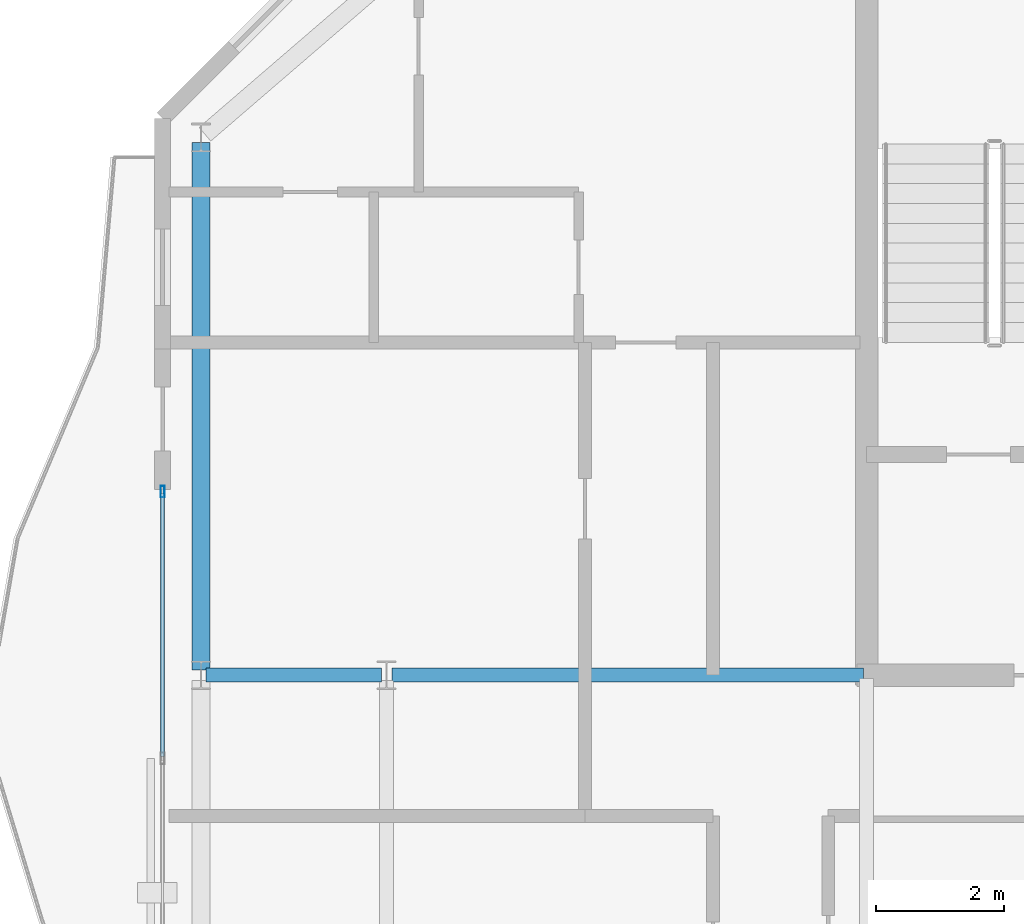
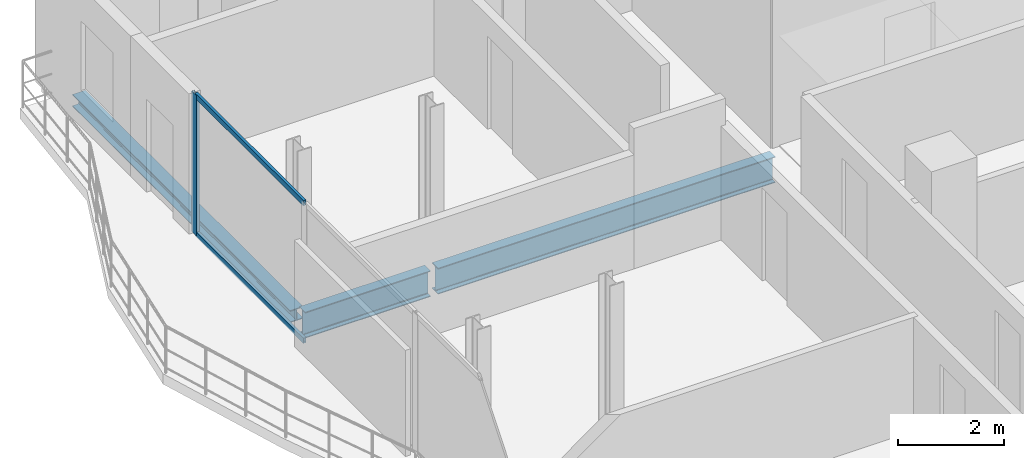
# One storey, part 9 of 23: 3 beams, 3 members, 1 element without a shape of its own.
"""IFC4 building model written with IfcOpenShell, lengths in metres."""

from ifc_helpers import new_model, si_unit, direction, frame, origin, origin_2d, place, context, subcontext, project, spatial, hollow_rectangle, i_section, extrude, material, layer, layer_set, material_profile, profile_set, type_object, element, aggregate, save


model = new_model("IFC4")

# Units and contexts
model_context = context("Model", 3, precision=1e-05, world=origin(), true_north=direction((0.0, 1.0)))
body_context = subcontext(model_context, "Body", "Model", "MODEL_VIEW")
ifc_project = project(units=[si_unit("LENGTHUNIT", "METRE"), si_unit("AREAUNIT", "SQUARE_METRE"), si_unit("VOLUMEUNIT", "CUBIC_METRE"), si_unit("PLANEANGLEUNIT", "RADIAN"), si_unit("MASSUNIT", "GRAM", prefix="KILO")], contexts=[model_context])

# Site, building, storey
site_placement = place(None, origin())
site = spatial("IfcSite", under=ifc_project, at=site_placement, CompositionType="ELEMENT")
building_placement = place(site_placement, origin())
building = spatial("IfcBuilding", under=site, at=building_placement, Name="Catumbela Crestline Tower", CompositionType="ELEMENT")
storey_placement = place(building_placement, frame((0.0, 0.0, 204.6)))
storey = spatial("IfcBuildingStorey", under=building, at=storey_placement, Name="L53", CompositionType="ELEMENT", Elevation=204.6)

# Beams
ifc_material_1 = material(Name="Structural steel S355J2", Category="steel")
ifc_material_profile_1 = material_profile(ifc_material_1, i_section(OverallWidth=0.22, OverallDepth=0.6, WebThickness=0.012, FlangeThickness=0.019, FilletRadius=0.024, at=origin_2d()), Name="IPE 600")
ifc_profile_set_1 = profile_set([ifc_material_profile_1], Name="Structural steel S355J2")
beam_type_1 = type_object("IfcBeamType", Name="BG-IPE600", PredefinedType="BEAM", material=ifc_profile_set_1)
beam_1_placement = place(storey_placement, frame((5.68, 30.8, -0.56), z_axis=(1.0, 0.0, 0.0), x_axis=(0.0, 1.0, 0.0)))
element("IfcBeam", 1, at=beam_1_placement, inside=storey, type_object=beam_type_1, Name="L53 Beam BM-L53-M06", PredefinedType="BEAM", context=body_context, shape_type="SweptSolid", body=[
    extrude(i_section(OverallWidth=0.22, OverallDepth=0.6, WebThickness=0.012, FlangeThickness=0.019, FilletRadius=0.024, at=origin_2d()), origin(), (0.0, 0.0, 1.0), 2.74),
])
beam_2_placement = place(storey_placement, frame((8.58, 30.8, -0.56), z_axis=(1.0, 0.0, 0.0), x_axis=(0.0, 1.0, 0.0)))
element("IfcBeam", 2, at=beam_2_placement, inside=storey, type_object=beam_type_1, Name="L53 Beam BM-L53-M07", PredefinedType="BEAM", context=body_context, shape_type="SweptSolid", body=[
    extrude(i_section(OverallWidth=0.22, OverallDepth=0.6, WebThickness=0.012, FlangeThickness=0.019, FilletRadius=0.024, at=origin_2d()), origin(), (0.0, 0.0, 1.0), 7.37),
])

# Curtain wall, member
ifc_material_2 = material(Name="Aluminium alloy AW-6060-T66", Category="aluminium")
ifc_layer = layer(ifc_material_2, 0.18, Name="Aluminium alloy AW-6060-T66")
ifc_layer_set = layer_set([ifc_layer], Name="Aluminium alloy AW-6060-T66")
curtain_wall_type = type_object("IfcCurtainWallType", Name="CWU-Z3", PredefinedType="USERDEFINED", material=ifc_layer_set)
curtain_wall_placement = place(storey_placement, origin())
curtain_wall = element("IfcCurtainWall", 3, at=curtain_wall_placement, inside=storey, type_object=curtain_wall_type, Name="L53 Unitised Curtain Wall CW-L53-E9S2", ObjectType="UNITISED", PredefinedType="USERDEFINED")
ifc_material_profile_2 = material_profile(ifc_material_2, hollow_rectangle(XDim=0.065, YDim=0.18, WallThickness=0.004, at=origin_2d()), Name="ALU 180x65x4")
ifc_profile_set_2 = profile_set([ifc_material_profile_2], Name="Aluminium alloy AW-6060-T66")
member_type_1 = type_object("IfcMemberType", Name="MUL-180X65", PredefinedType="MULLION", material=ifc_profile_set_2)
member_1_placement = place(storey_placement, frame((5.0, 33.6675, 0.0), z_axis=(0.0, 0.0, 1.0), x_axis=(1.0, 0.0, 0.0)))
member_1 = element("IfcMember", 4, at=member_1_placement, type_object=member_type_1, Name="CWU-Z3 mullion 1", PredefinedType="MULLION", context=body_context, shape_type="SweptSolid", body=[
    extrude(hollow_rectangle(XDim=0.065, YDim=0.18, WallThickness=0.004, at=origin_2d()), origin(), (0.0, 0.0, 1.0), 3.24),
])

# Beam
ifc_material_profile_3 = material_profile(ifc_material_1, i_section(OverallWidth=0.28, OverallDepth=0.28, WebThickness=0.0105, FlangeThickness=0.018, FilletRadius=0.024, at=origin_2d()), Name="HEB 280")
ifc_profile_set_3 = profile_set([ifc_material_profile_3], Name="Structural steel S355J2")
beam_type_2 = type_object("IfcBeamType", Name="BS-HEB280", PredefinedType="SPANDREL", material=ifc_profile_set_3)
beam_3_placement = place(storey_placement, frame((5.6, 30.88, -0.4), z_axis=(0.0, 1.0, 0.0), x_axis=(-1.0, 0.0, 0.0)))
element("IfcBeam", 5, at=beam_3_placement, inside=storey, type_object=beam_type_2, Name="L53 Spandrel SP-L53-SN15", PredefinedType="SPANDREL", context=body_context, shape_type="SweptSolid", body=[
    extrude(i_section(OverallWidth=0.28, OverallDepth=0.28, WebThickness=0.0105, FlangeThickness=0.018, FilletRadius=0.024, at=origin_2d()), origin(), (0.0, 0.0, 1.0), 8.24),
])

# Member
ifc_material_profile_4 = material_profile(ifc_material_2, hollow_rectangle(XDim=0.06, YDim=0.12, WallThickness=0.0035, at=origin_2d()), Name="ALU 120x60x3.5")
ifc_profile_set_4 = profile_set([ifc_material_profile_4], Name="Aluminium alloy AW-6060-T66")
member_type_2 = type_object("IfcMemberType", Name="TRN-120X60", PredefinedType="USERDEFINED", material=ifc_profile_set_4)
member_2_placement = place(storey_placement, frame((5.0, 33.635, 0.03), z_axis=(0.0, -1.0, 0.0), x_axis=(1.0, 0.0, 0.0)))
member_2 = element("IfcMember", 6, at=member_2_placement, type_object=member_type_2, Name="CWU-Z3 transom 1.1", ObjectType="TRANSOM", PredefinedType="USERDEFINED", context=body_context, shape_type="SweptSolid", body=[
    extrude(hollow_rectangle(XDim=0.06, YDim=0.12, WallThickness=0.0035, at=origin_2d()), origin(), (0.0, 0.0, 1.0), 4.1025),
])

member_3_placement = place(storey_placement, frame((5.0, 33.635, 3.21), z_axis=(0.0, -1.0, 0.0), x_axis=(1.0, 0.0, 0.0)))
member_3 = element("IfcMember", 7, at=member_3_placement, type_object=member_type_2, Name="CWU-Z3 transom 1.2", ObjectType="TRANSOM", PredefinedType="USERDEFINED", context=body_context, shape_type="SweptSolid", body=[
    extrude(hollow_rectangle(XDim=0.06, YDim=0.12, WallThickness=0.0035, at=origin_2d()), origin(), (0.0, 0.0, 1.0), 4.1025),
])

aggregate(curtain_wall, [member_1, member_2, member_3])

save(model, "model.ifc")
